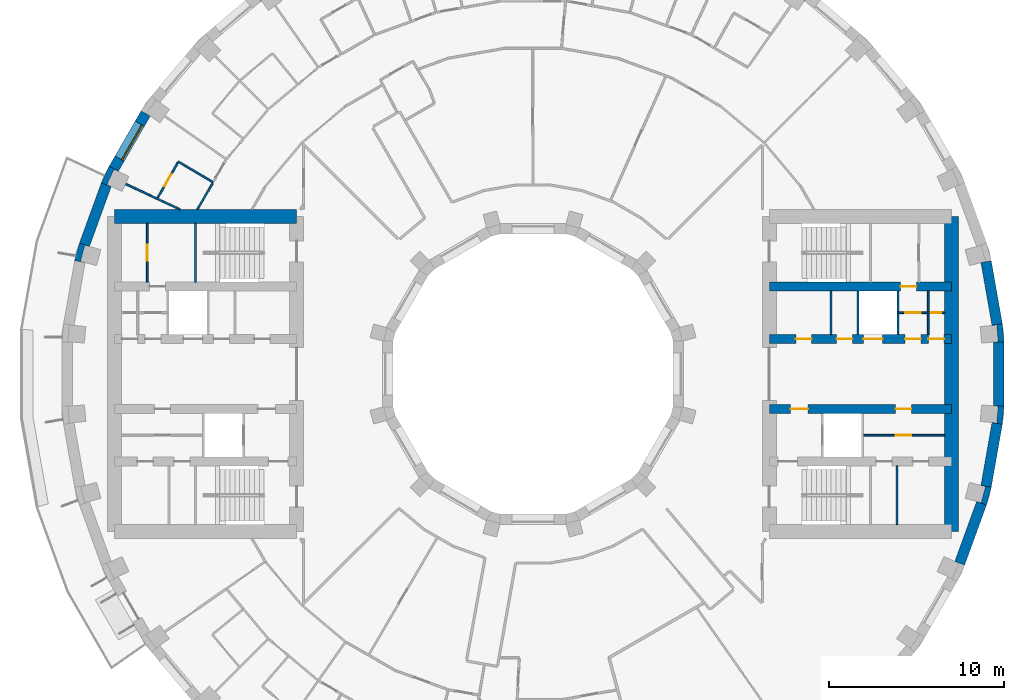
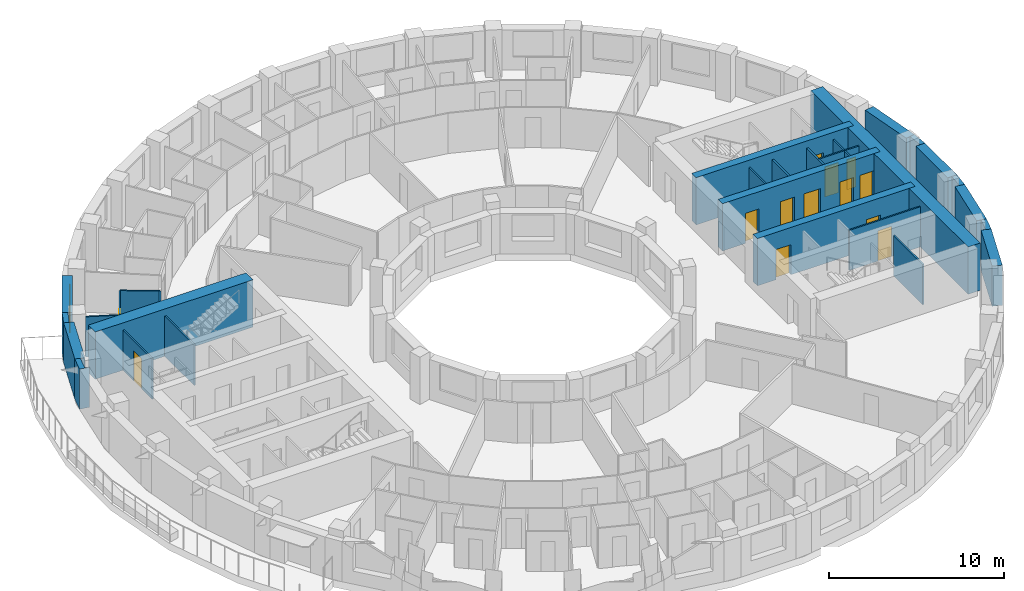
# One storey, part 7 of 12: 30 walls, 13 doors, 1 window, 14 openings.
"""IFC4 building model written with IfcOpenShell, lengths in metres."""

from ifc_helpers import new_model, si_unit, direction, frame, frame_2d, origin, place, context, subcontext, project, spatial, polyline, rectangle, outline, extrude, material, layer, layer_set, type_object, element, fill, save


model = new_model("IFC4")

# Units and contexts
model_context = context("Model", 3, precision=1e-05, world=origin(), true_north=direction((0.0, 1.0)))
body_context = subcontext(model_context, "Body", "Model", "MODEL_VIEW")
ifc_project = project(units=[si_unit("LENGTHUNIT", "METRE"), si_unit("AREAUNIT", "SQUARE_METRE"), si_unit("VOLUMEUNIT", "CUBIC_METRE"), si_unit("PLANEANGLEUNIT", "RADIAN"), si_unit("MASSUNIT", "GRAM", prefix="KILO")], contexts=[model_context])

# Site, building, storey
site_placement = place(None, origin())
site = spatial("IfcSite", under=ifc_project, at=site_placement, CompositionType="ELEMENT")
building_placement = place(site_placement, origin())
building = spatial("IfcBuilding", under=site, at=building_placement, Name="Saqina Gate Tower", CompositionType="ELEMENT")
storey_placement = place(building_placement, frame((0.0, 0.0, 115.0)))
storey = spatial("IfcBuildingStorey", under=building, at=storey_placement, Name="L32", CompositionType="ELEMENT", Elevation=115.0)

# Walls
ifc_material_1 = material(Name="Brick masonry (buff)", Category="masonry")
wall_type_1 = type_object("IfcWallType", Name="BRICK PIER COPING BUFF", PredefinedType="SOLIDWALL", material=ifc_material_1)
wall_1_placement = place(storey_placement, origin())
element("IfcWall", 1, at=wall_1_placement, inside=storey, type_object=wall_type_1, Name="Pier cap L32 column 1", PredefinedType="SOLIDWALL", context=body_context, shape_type="SweptSolid", body=[
    extrude(outline(polyline([(26.805419921875, 2.87451171875), (26.214599609375, 2.770263671875), (26.482421875, 2.793701171875), (26.565185546875, 1.847412109375), (26.29736328125, 1.823974609375), (26.897216796875, 1.823974609375), (26.805419921875, 2.87451171875)])), origin(), (0.0, 0.0, 1.0), 2.800048828125),
])
wall_2_placement = place(storey_placement, origin())
element("IfcWall", 2, at=wall_2_placement, inside=storey, type_object=wall_type_1, Name="Pier cap L32 column 16", PredefinedType="SOLIDWALL", context=body_context, shape_type="SweptSolid", body=[
    extrude(outline(polyline([(-24.6513671875, 10.913330078125), (-24.08740234375, 10.7080078125), (-24.331298828125, 10.82177734375), (-23.9296875, 11.6826171875), (-23.68603515625, 11.569091796875), (-24.205810546875, 11.869140625), (-24.6513671875, 10.913330078125)])), origin(), (0.0, 0.0, 1.0), 2.800048828125),
])
wall_3_placement = place(storey_placement, origin())
element("IfcWall", 3, at=wall_3_placement, inside=storey, type_object=wall_type_1, Name="Pier cap L32 column 17", PredefinedType="SOLIDWALL", context=body_context, shape_type="SweptSolid", body=[
    extrude(outline(polyline([(-25.89892578125, 7.485595703125), (-26.171875, 6.466796875), (-25.5810546875, 6.36279296875), (-25.8408203125, 6.43212890625), (-25.5947265625, 7.349853515625), (-25.335205078125, 7.2802734375), (-25.89892578125, 7.485595703125)])), origin(), (0.0, 0.0, 1.0), 2.800048828125),
])
wall_4_placement = place(storey_placement, origin())
element("IfcWall", 4, at=wall_4_placement, inside=storey, type_object=wall_type_1, Name="Pier cap L32 column 35", PredefinedType="SOLIDWALL", context=body_context, shape_type="SweptSolid", body=[
    extrude(outline(polyline([(25.89892578125, -7.485595703125), (26.171875, -6.466796875), (25.5810546875, -6.36279296875), (25.8408203125, -6.43212890625), (25.5947265625, -7.349853515625), (25.335205078125, -7.2802734375), (25.89892578125, -7.485595703125)])), origin(), (0.0, 0.0, 1.0), 2.800048828125),
])
wall_5_placement = place(storey_placement, origin())
element("IfcWall", 5, at=wall_5_placement, inside=storey, type_object=wall_type_1, Name="Pier cap L32 column 36", PredefinedType="SOLIDWALL", context=body_context, shape_type="SweptSolid", body=[
    extrude(outline(polyline([(26.805419921875, -2.87451171875), (26.897216796875, -1.823974609375), (26.29736328125, -1.823974609375), (26.565185546875, -1.847412109375), (26.482421875, -2.793701171875), (26.214599609375, -2.770263671875), (26.805419921875, -2.87451171875)])), origin(), (0.0, 0.0, 1.0), 2.800048828125),
])
ifc_material_2 = material(Name="Gypsum board on steel studs", Category="steel")
ifc_layer_1 = layer(ifc_material_2, 0.10009765625)
ifc_layer_set_1 = layer_set([ifc_layer_1], Name="CORE PARTITION")
wall_type_2 = type_object("IfcWallType", Name="CORE PARTITION", PredefinedType="PARTITIONING", material=ifc_layer_set_1)
for number, where, z_axis, x_axis, name in (
    (6, (17.022216796875, 2.25, 0.0), (0.0, 0.0, 1.0), (0.0, 1.0, 0.0), "L32-CP-E01"),
    (7, (22.569091796875, 2.25, 0.0), (0.0, 0.0, 1.0), (0.0, 1.0, 0.0), "L32-CP-E04"),
):
    element("IfcWall", number, at=place(storey_placement, frame(where, z_axis=z_axis, x_axis=x_axis)), inside=storey, type_object=wall_type_2, Name=name, PredefinedType="PARTITIONING", context=body_context, shape_type="SweptSolid", body=[
        extrude(rectangle(XDim=2.5, YDim=0.10009765625, at=frame_2d((1.25, 0.0))), origin(), (0.0, 0.0, 1.0), 2.800048828125),
    ])

# Wall, opening, door
wall_6_placement = place(storey_placement, frame((20.840087890625, 3.5, 0.0), z_axis=(0.0, 0.0, 1.0), x_axis=(1.0, 0.0, 0.0)))
wall_6 = element("IfcWall", 8, at=wall_6_placement, inside=storey, type_object=wall_type_2, Name="L32-CP-E07", PredefinedType="PARTITIONING", context=body_context, shape_type="SweptSolid", body=[
    extrude(rectangle(XDim=1.72900390625, YDim=0.10009765625, at=frame_2d((0.864501953125, 0.0))), origin(), (0.0, 0.0, 1.0), 2.800048828125),
])
opening_1_placement = place(wall_6_placement, frame((0.41455078125, 0.0, 0.0)))
opening_1 = element("IfcOpeningElement", 9, at=opening_1_placement, cuts=wall_6, Name="Opening G09-D97", PredefinedType="OPENING", context=body_context, shape_type="SweptSolid", body=[
    extrude(rectangle(XDim=0.89990234375, YDim=2.10009765625, at=frame_2d((0.449951171875, 1.050048828125))), frame((0.0, 0.06201171875, 0.0), z_axis=(0.0, -1.0, 0.0), x_axis=(1.0, 0.0, 0.0)), (0.0, 0.0, 1.0), 0.1240234375),
])
ifc_material_3 = material(Name="Steel-framed fire door leaf, EI 60", Category="steel")
door_type_1 = type_object("IfcDoorType", Name="SERVICE ROOM DOOR 900", OperationType="SINGLE_SWING_LEFT", PredefinedType="DOOR", material=ifc_material_3)
door_1_placement = place(opening_1_placement, origin())
door_1 = element("IfcDoor", 10, at=door_1_placement, inside=storey, type_object=door_type_1, Name="L32-CD-E08", OperationType="SINGLE_SWING_LEFT", OverallHeight=2.10009765625, OverallWidth=0.89990234375, PredefinedType="DOOR", context=body_context, shape_type="SweptSolid", body=[
    extrude(rectangle(XDim=0.89990234375, YDim=2.10009765625, at=frame_2d((0.449951171875, 1.050048828125))), frame((0.0, 0.02490234375, 0.0), z_axis=(0.0, -1.0, 0.0), x_axis=(1.0, 0.0, 0.0)), (0.0, 0.0, 1.0), 0.050048828125),
])
fill(opening_1, door_1)

wall_7_placement = place(storey_placement, frame((22.569091796875, 3.5, 0.0), z_axis=(0.0, 0.0, 1.0), x_axis=(1.0, 0.0, 0.0)))
wall_7 = element("IfcWall", 11, at=wall_7_placement, inside=storey, type_object=wall_type_2, Name="L32-CP-E08", PredefinedType="PARTITIONING", context=body_context, shape_type="SweptSolid", body=[
    extrude(rectangle(XDim=0.930908203125, YDim=0.10009765625, at=frame_2d((0.46533203125, 0.0))), origin(), (0.0, 0.0, 1.0), 2.800048828125),
])
opening_2_placement = place(wall_7_placement, frame((0.14990234375, 0.0, 0.0)))
opening_2 = element("IfcOpeningElement", 12, at=opening_2_placement, cuts=wall_7, Name="Opening G09-D96", PredefinedType="OPENING", context=body_context, shape_type="SweptSolid", body=[
    extrude(rectangle(XDim=0.60009765625, YDim=2.10009765625, at=frame_2d((0.300048828125, 1.050048828125))), frame((0.0, 0.06201171875, 0.0), z_axis=(0.0, -1.0, 0.0), x_axis=(1.0, 0.0, 0.0)), (0.0, 0.0, 1.0), 0.1240234375),
])
ifc_material_4 = material(Name="Steel-framed fire door leaf, EI 60", Category="steel")
door_type_2 = type_object("IfcDoorType", Name="SERVICE ROOM DOOR 600", OperationType="SINGLE_SWING_LEFT", PredefinedType="DOOR", material=ifc_material_4)
door_2_placement = place(opening_2_placement, origin())
door_2 = element("IfcDoor", 13, at=door_2_placement, inside=storey, type_object=door_type_2, Name="L32-CD-E07", OperationType="SINGLE_SWING_RIGHT", OverallHeight=2.10009765625, OverallWidth=0.60009765625, PredefinedType="DOOR", context=body_context, shape_type="SweptSolid", body=[
    extrude(rectangle(XDim=0.60009765625, YDim=2.10009765625, at=frame_2d((0.300048828125, 1.050048828125))), frame((0.0, 0.02490234375, 0.0), z_axis=(0.0, -1.0, 0.0), x_axis=(1.0, 0.0, 0.0)), (0.0, 0.0, 1.0), 0.050048828125),
])
fill(opening_2, door_2)

wall_8_placement = place(storey_placement, frame((18.81005859375, -3.5, 0.0), z_axis=(0.0, 0.0, 1.0), x_axis=(1.0, 0.0, 0.0)))
wall_8 = element("IfcWall", 14, at=wall_8_placement, inside=storey, type_object=wall_type_2, Name="L32-CP-E09", PredefinedType="PARTITIONING", context=body_context, shape_type="SweptSolid", body=[
    extrude(rectangle(XDim=4.68994140625, YDim=0.10009765625, at=frame_2d((2.344970703125, 0.0))), origin(), (0.0, 0.0, 1.0), 2.800048828125),
])
opening_3_placement = place(wall_8_placement, frame((1.89501953125, 0.0, 0.0)))
opening_3 = element("IfcOpeningElement", 15, at=opening_3_placement, cuts=wall_8, Name="Opening G09-D100", PredefinedType="OPENING", context=body_context, shape_type="SweptSolid", body=[
    extrude(rectangle(XDim=0.89990234375, YDim=2.10009765625, at=frame_2d((0.449951171875, 1.050048828125))), frame((0.0, 0.06201171875, 0.0), z_axis=(0.0, -1.0, 0.0), x_axis=(1.0, 0.0, 0.0)), (0.0, 0.0, 1.0), 0.1240234375),
])
door_3_placement = place(opening_3_placement, frame((0.89990234375, 0.0, 0.0), z_axis=(0.0, 0.0, 1.0), x_axis=(-1.0, 0.0, 0.0)))
door_3 = element("IfcDoor", 16, at=door_3_placement, inside=storey, type_object=door_type_1, Name="L32-CD-E11", OperationType="SINGLE_SWING_RIGHT", OverallHeight=2.10009765625, OverallWidth=0.89990234375, PredefinedType="DOOR", context=body_context, shape_type="SweptSolid", body=[
    extrude(rectangle(XDim=0.89990234375, YDim=2.10009765625, at=frame_2d((0.449951171875, 1.050048828125))), frame((0.0, 0.02490234375, 0.0), z_axis=(0.0, -1.0, 0.0), x_axis=(1.0, 0.0, 0.0)), (0.0, 0.0, 1.0), 0.050048828125),
])
fill(opening_3, door_3)

# Wall
wall_9_placement = place(storey_placement, frame((20.782958984375, -8.60009765625, 0.0), z_axis=(0.0, 0.0, 1.0), x_axis=(0.0, 1.0, 0.0)))
element("IfcWall", 17, at=wall_9_placement, inside=storey, type_object=wall_type_2, Name="L32-CP-E13", PredefinedType="PARTITIONING", context=body_context, shape_type="SweptSolid", body=[
    extrude(rectangle(XDim=3.35009765625, YDim=0.10009765625, at=frame_2d((1.675048828125, 0.0))), origin(), (0.0, 0.0, 1.0), 2.800048828125),
])

# Wall, opening, door
wall_10_placement = place(storey_placement, frame((-22.037109375, 5.25, 0.0), z_axis=(0.0, 0.0, 1.0), x_axis=(0.0, 1.0, 0.0)))
wall_10 = element("IfcWall", 18, at=wall_10_placement, inside=storey, type_object=wall_type_2, Name="L32-CP-W11", PredefinedType="PARTITIONING", context=body_context, shape_type="SweptSolid", body=[
    extrude(rectangle(XDim=3.35009765625, YDim=0.10009765625, at=frame_2d((1.675048828125, 0.0))), origin(), (0.0, 0.0, 1.0), 2.800048828125),
])
opening_4_placement = place(wall_10_placement, frame((1.22509765625, 0.0, 0.0)))
opening_4 = element("IfcOpeningElement", 19, at=opening_4_placement, cuts=wall_10, Name="Opening G09-D115", PredefinedType="OPENING", context=body_context, shape_type="SweptSolid", body=[
    extrude(rectangle(XDim=0.89990234375, YDim=2.10009765625, at=frame_2d((0.449951171875, 1.050048828125))), frame((0.0, 0.06201171875, 0.0), z_axis=(0.0, -1.0, 0.0), x_axis=(1.0, 0.0, 0.0)), (0.0, 0.0, 1.0), 0.1240234375),
])
door_4_placement = place(opening_4_placement, frame((0.89990234375, 0.0, 0.0), z_axis=(0.0, 0.0, 1.0), x_axis=(-1.0, 0.0, 0.0)))
door_4 = element("IfcDoor", 20, at=door_4_placement, inside=storey, type_object=door_type_1, Name="L32-CD-W26", OperationType="SINGLE_SWING_LEFT", OverallHeight=2.10009765625, OverallWidth=0.89990234375, PredefinedType="DOOR", context=body_context, shape_type="SweptSolid", body=[
    extrude(rectangle(XDim=0.89990234375, YDim=2.10009765625, at=frame_2d((0.449951171875, 1.050048828125))), frame((0.0, 0.02490234375, 0.0), z_axis=(0.0, -1.0, 0.0), x_axis=(1.0, 0.0, 0.0)), (0.0, 0.0, 1.0), 0.050048828125),
])
fill(opening_4, door_4)

# Wall, opening, window
ifc_material_5 = material(Name="Brick masonry (buff)", Category="masonry")
ifc_layer_2 = layer(ifc_material_5, 0.60009765625)
ifc_layer_set_2 = layer_set([ifc_layer_2], Name="FW-BRICK-BUFF")
wall_type_3 = type_object("IfcWallType", Name="FW-BRICK-BUFF", PredefinedType="SOLIDWALL", material=ifc_layer_set_2)
wall_11_placement = place(storey_placement, frame((-22.1220703125, 14.878173828125, 0.0), z_axis=(0.0, 0.0, 1.0), x_axis=(-0.499954196102, -0.866051847062, 0.0)))
wall_11 = element("IfcWall", 21, at=wall_11_placement, inside=storey, type_object=wall_type_3, Name="Facade wall L32 facet 15", PredefinedType="SOLIDWALL", context=body_context, shape_type="SweptSolid", body=[
    extrude(rectangle(XDim=3.647705078125, YDim=0.60009765625, at=frame_2d((1.82373046875, 0.0))), origin(), (0.0, 0.0, 1.0), 2.800048828125),
])
opening_5_placement = place(wall_11_placement, frame((0.673828125, 0.0, 0.89990234375)))
opening_5 = element("IfcOpeningElement", 22, at=opening_5_placement, cuts=wall_11, Name="Opening G09-W13", PredefinedType="OPENING", context=body_context, shape_type="SweptSolid", body=[
    extrude(rectangle(XDim=2.300048828125, YDim=1.800048828125, at=frame_2d((1.14990234375, 0.89990234375))), frame((0.0, 0.31201171875, 0.0), z_axis=(0.0, -1.0, 0.0), x_axis=(1.0, 0.0, 0.0)), (0.0, 0.0, 1.0), 0.6240234375),
])
ifc_material_6 = material(Name="Aluminium glazing", Category="aluminium")
window_type = type_object("IfcWindowType", Name="WN-B", PartitioningType="SINGLE_PANEL", PredefinedType="WINDOW", material=ifc_material_6)
window_placement = place(opening_5_placement, origin())
window = element("IfcWindow", 23, at=window_placement, inside=storey, type_object=window_type, Name="Window L32 facet 15", OverallHeight=1.800048828125, OverallWidth=2.300048828125, PartitioningType="SINGLE_PANEL", PredefinedType="WINDOW", context=body_context, shape_type="SweptSolid", body=[
    extrude(rectangle(XDim=2.300048828125, YDim=1.800048828125, at=frame_2d((1.14990234375, 0.89990234375))), frame((0.0, 0.179931640625, 0.0), z_axis=(0.0, -1.0, 0.0), x_axis=(1.0, 0.0, 0.0)), (0.0, 0.0, 1.0), 0.06005859375),
])
fill(opening_5, window)

# Walls
ifc_material_7 = material(Name="Glazed ceramic tile", Category="ceramic")
ifc_layer_3 = layer(ifc_material_7, 0.60009765625)
ifc_layer_set_3 = layer_set([ifc_layer_3], Name="FW-TILE")
wall_type_4 = type_object("IfcWallType", Name="FW-TILE", PredefinedType="SOLIDWALL", material=ifc_layer_set_3)
for number, where, z_axis, x_axis, name in (
    (24, (26.510009765625, 2.822265625, 0.0), (0.0, 0.0, 1.0), (-0.173670796382, 0.984803764455, 0.0), "Facade wall L32 facet 1"),
    (25, (25.87646484375, -6.414794921875, 0.0), (0.0, 0.0, 1.0), (0.173670796382, 0.984803764455, 0.0), "Facade wall L32 facet 35"),
):
    element("IfcWall", number, at=place(storey_placement, frame(where, z_axis=z_axis, x_axis=x_axis)), inside=storey, type_object=wall_type_4, Name=name, PredefinedType="SOLIDWALL", context=body_context, shape_type="SweptSolid", body=[
        extrude(rectangle(XDim=3.64794921875, YDim=0.60009765625, at=frame_2d((1.823974609375, 0.0))), origin(), (0.0, 0.0, 1.0), 2.800048828125),
    ])
ifc_material_8 = material(Name="Glazed ceramic tile (dark blue)", Category="ceramic")
ifc_layer_4 = layer(ifc_material_8, 0.60009765625)
ifc_layer_set_4 = layer_set([ifc_layer_4], Name="FW-TILE-CB")
wall_type_5 = type_object("IfcWallType", Name="FW-TILE-CB", PredefinedType="SOLIDWALL", material=ifc_layer_set_4)
wall_12_placement = place(storey_placement, frame((24.369384765625, -10.810791015625, 0.0), z_axis=(0.0, 0.0, 1.0), x_axis=(0.341990236633, 0.939703505393, 0.0)))
element("IfcWall", 26, at=wall_12_placement, inside=storey, type_object=wall_type_5, Name="Facade wall L32 facet 34", PredefinedType="SOLIDWALL", context=body_context, shape_type="SweptSolid", body=[
    extrude(rectangle(XDim=3.64794921875, YDim=0.60009765625, at=frame_2d((1.823974609375, 0.0))), origin(), (0.0, 0.0, 1.0), 2.800048828125),
])
ifc_material_9 = material(Name="Glazed ceramic tile (white)", Category="ceramic")
ifc_layer_5 = layer(ifc_material_9, 0.60009765625)
ifc_layer_set_5 = layer_set([ifc_layer_5], Name="FW-TILE-WH")
wall_type_6 = type_object("IfcWallType", Name="FW-TILE-WH", PredefinedType="SOLIDWALL", material=ifc_layer_set_5)
for number, where, z_axis, x_axis, name in (
    (27, (-24.369384765625, 10.810791015625, 0.0), (0.0, 0.0, 1.0), (-0.341990236633, -0.939703505393, 0.0), "Facade wall L32 facet 16"),
    (28, (26.59716796875, -1.823974609375, 0.0), (0.0, 0.0, 1.0), (0.0, 1.0, 0.0), "Facade wall L32 facet 36"),
):
    element("IfcWall", number, at=place(storey_placement, frame(where, z_axis=z_axis, x_axis=x_axis)), inside=storey, type_object=wall_type_6, Name=name, PredefinedType="SOLIDWALL", context=body_context, shape_type="SweptSolid", body=[
        extrude(rectangle(XDim=3.64794921875, YDim=0.60009765625, at=frame_2d((1.823974609375, 0.0))), origin(), (0.0, 0.0, 1.0), 2.800048828125),
    ])
ifc_material_10 = material(Name="Gypsum board on steel studs, 100 mm", Category="steel")
ifc_layer_6 = layer(ifc_material_10, 0.10009765625)
ifc_layer_set_6 = layer_set([ifc_layer_6], Name="PARTITION 100")
wall_type_7 = type_object("IfcWallType", Name="PARTITION 100", PredefinedType="PARTITIONING", material=ifc_layer_set_6)
wall_13_placement = place(storey_placement, frame((-20.2470703125, 12.1259765625, 0.0), z_axis=(0.0, 0.0, 1.0), x_axis=(0.857988737522, -0.513668498435, 0.0)))
element("IfcWall", 29, at=wall_13_placement, inside=storey, type_object=wall_type_7, Name="PARTITION PW3-30", PredefinedType="PARTITIONING", context=body_context, shape_type="SweptSolid", body=[
    extrude(rectangle(XDim=2.30078125, YDim=0.10009765625, at=frame_2d((1.150390625, 0.0))), origin(), (0.0, 0.0, 1.0), 2.800048828125),
])
wall_14_placement = place(storey_placement, frame((-23.26025390625, 10.846923828125, 0.0), z_axis=(0.0, 0.0, 1.0), x_axis=(0.906263293643, -0.422713665021, 0.0)))
element("IfcWall", 30, at=wall_14_placement, inside=storey, type_object=wall_type_7, Name="PARTITION PW3-37", PredefinedType="PARTITIONING", context=body_context, shape_type="SweptSolid", body=[
    extrude(rectangle(XDim=3.423095703125, YDim=0.10009765625, at=frame_2d((1.71142578125, 0.0))), origin(), (0.0, 0.0, 1.0), 2.800048828125),
])
wall_15_placement = place(storey_placement, frame((-19.1650390625, 9.39990234375, 0.0), z_axis=(0.0, 0.0, 1.0), x_axis=(0.500214230422, 0.865901682458, 0.0)))
element("IfcWall", 31, at=wall_15_placement, inside=storey, type_object=wall_type_7, Name="PARTITION PW3-89", PredefinedType="PARTITIONING", context=body_context, shape_type="SweptSolid", body=[
    extrude(rectangle(XDim=1.733154296875, YDim=0.10009765625, at=frame_2d((0.86669921875, 0.0))), origin(), (0.0, 0.0, 1.0), 2.800048828125),
])

# Wall, opening, door
wall_16_placement = place(storey_placement, frame((-21.443115234375, 10.05419921875, 0.0), z_axis=(0.0, 0.0, 1.0), x_axis=(0.499984100898, 0.86603458294, 0.0)))
wall_16 = element("IfcWall", 32, at=wall_16_placement, inside=storey, type_object=wall_type_7, Name="PARTITION PW3-90", PredefinedType="PARTITIONING", context=body_context, shape_type="SweptSolid", body=[
    extrude(rectangle(XDim=2.34228515625, YDim=0.10009765625, at=frame_2d((1.171142578125, 0.0))), origin(), (0.0, 0.0, 1.0), 2.800048828125),
])
opening_6_placement = place(wall_16_placement, frame((0.77099609375, 0.0, 0.0)))
opening_6 = element("IfcOpeningElement", 33, at=opening_6_placement, cuts=wall_16, Name="Opening G09-D28", PredefinedType="OPENING", context=body_context, shape_type="SweptSolid", body=[
    extrude(rectangle(XDim=0.800048828125, YDim=2.10009765625, at=frame_2d((0.39990234375, 1.050048828125))), frame((0.0, 0.06201171875, 0.0), z_axis=(0.0, -1.0, 0.0), x_axis=(1.0, 0.0, 0.0)), (0.0, 0.0, 1.0), 0.1240234375),
])
ifc_material_11 = material(Name="Timber door leaf, 800 mm", Category="wood")
door_type_3 = type_object("IfcDoorType", Name="DOOR 800 TIMBER", OperationType="SINGLE_SWING_LEFT", PredefinedType="DOOR", material=ifc_material_11)
door_5_placement = place(opening_6_placement, origin())
door_5 = element("IfcDoor", 34, at=door_5_placement, inside=storey, type_object=door_type_3, Name="DOOR G09-D28", OperationType="SINGLE_SWING_RIGHT", OverallHeight=2.10009765625, OverallWidth=0.800048828125, PredefinedType="DOOR", context=body_context, shape_type="SweptSolid", body=[
    extrude(rectangle(XDim=0.800048828125, YDim=2.10009765625, at=frame_2d((0.39990234375, 1.050048828125))), frame((0.0, 0.02490234375, 0.0), z_axis=(0.0, -1.0, 0.0), x_axis=(1.0, 0.0, 0.0)), (0.0, 0.0, 1.0), 0.050048828125),
])
fill(opening_6, door_5)

# Walls
ifc_material_12 = material(Name="Autoclaved aerated concrete block", Category="concrete")
ifc_layer_7 = layer(ifc_material_12, 0.1201171875)
ifc_layer_set_7 = layer_set([ifc_layer_7], Name="SHAFT PARTITION")
wall_type_8 = type_object("IfcWallType", Name="SHAFT PARTITION", PredefinedType="PARTITIONING", material=ifc_layer_set_7)
for number, where, z_axis, x_axis, name in (
    (35, (18.56005859375, 2.25, 0.0), (0.0, 0.0, 1.0), (0.0, 1.0, 0.0), "L32-CP-E02"),
    (36, (20.840087890625, 2.25, 0.0), (0.0, 0.0, 1.0), (0.0, 1.0, 0.0), "L32-CP-E03"),
):
    element("IfcWall", number, at=place(storey_placement, frame(where, z_axis=z_axis, x_axis=x_axis)), inside=storey, type_object=wall_type_8, Name=name, PredefinedType="PARTITIONING", context=body_context, shape_type="SweptSolid", body=[
        extrude(rectangle(XDim=2.5, YDim=0.1201171875, at=frame_2d((1.25, 0.0))), origin(), (0.0, 0.0, 1.0), 2.800048828125),
    ])
ifc_material_13 = material(Name="Autoclaved aerated concrete block", Category="concrete")
ifc_layer_8 = layer(ifc_material_13, 0.10009765625)
ifc_layer_set_8 = layer_set([ifc_layer_8], Name="STAIR ENCLOSURE WALL")
wall_type_9 = type_object("IfcWallType", Name="STAIR ENCLOSURE WALL", PredefinedType="PARTITIONING", material=ifc_layer_set_8)
wall_17_placement = place(storey_placement, frame((-19.27001953125, 5.25, 0.0), z_axis=(0.0, 0.0, 1.0), x_axis=(0.0, 1.0, 0.0)))
element("IfcWall", 37, at=wall_17_placement, inside=storey, type_object=wall_type_9, Name="L32-CP-W10", PredefinedType="PARTITIONING", context=body_context, shape_type="SweptSolid", body=[
    extrude(rectangle(XDim=3.35009765625, YDim=0.10009765625, at=frame_2d((1.675048828125, 0.0))), origin(), (0.0, 0.0, 1.0), 2.800048828125),
])

# Wall, opening, door
ifc_material_14 = material(Name="Concrete C70/85", Category="concrete")
ifc_layer_9 = layer(ifc_material_14, 0.5)
ifc_layer_set_9 = layer_set([ifc_layer_9], Name="Concrete C70/85")
wall_type_10 = type_object("IfcWallType", Name="STR-CORE WALL-B-I", PredefinedType="SHEAR", material=ifc_layer_set_9)
wall_18_placement = place(storey_placement, frame((13.5, 5.0, 0.0), z_axis=(0.0, 0.0, 1.0), x_axis=(1.0, 0.0, 0.0)))
wall_18 = element("IfcWall", 38, at=wall_18_placement, inside=storey, type_object=wall_type_10, Name="CORE WALL L32 E-X1", PredefinedType="SHEAR", context=body_context, shape_type="SweptSolid", body=[
    extrude(rectangle(XDim=10.39990234375, YDim=0.5, at=frame_2d((5.199951171875, 0.0))), origin(), (0.0, 0.0, 1.0), 3.300048828125),
])
opening_7_placement = place(wall_18_placement, frame((7.488525390625, 0.0, 0.0)))
opening_7 = element("IfcOpeningElement", 39, at=opening_7_placement, cuts=wall_18, Name="Opening G09-D99", PredefinedType="OPENING", context=body_context, shape_type="SweptSolid", body=[
    extrude(rectangle(XDim=0.89990234375, YDim=2.10009765625, at=frame_2d((0.449951171875, 1.050048828125))), frame((0.0, 0.261962890625, 0.0), z_axis=(0.0, -1.0, 0.0), x_axis=(1.0, 0.0, 0.0)), (0.0, 0.0, 1.0), 0.52392578125),
])
door_6_placement = place(opening_7_placement, origin())
door_6 = element("IfcDoor", 40, at=door_6_placement, inside=storey, type_object=door_type_1, Name="L32-CD-E10", OperationType="SINGLE_SWING_RIGHT", OverallHeight=2.10009765625, OverallWidth=0.89990234375, PredefinedType="DOOR", context=body_context, shape_type="SweptSolid", body=[
    extrude(rectangle(XDim=0.89990234375, YDim=2.10009765625, at=frame_2d((0.449951171875, 1.050048828125))), frame((0.0, 0.02490234375, 0.0), z_axis=(0.0, -1.0, 0.0), x_axis=(1.0, 0.0, 0.0)), (0.0, 0.0, 1.0), 0.050048828125),
])
fill(opening_7, door_6)

# Wall, openings, doors
wall_19_placement = place(storey_placement, frame((13.5, 2.0, 0.0), z_axis=(0.0, 0.0, 1.0), x_axis=(1.0, 0.0, 0.0)))
wall_19 = element("IfcWall", 41, at=wall_19_placement, inside=storey, type_object=wall_type_10, Name="CORE WALL L32 E-L1", PredefinedType="SHEAR", context=body_context, shape_type="SweptSolid", body=[
    extrude(rectangle(XDim=10.39990234375, YDim=0.5, at=frame_2d((5.199951171875, 0.0))), origin(), (0.0, 0.0, 1.0), 3.300048828125),
])
opening_8_placement = place(wall_19_placement, frame((5.3701171875, 0.0, 0.0)))
opening_8 = element("IfcOpeningElement", 42, at=opening_8_placement, cuts=wall_19, Name="Opening G09-LD1", PredefinedType="OPENING", context=body_context, shape_type="SweptSolid", body=[
    extrude(rectangle(XDim=1.10009765625, YDim=2.10009765625, at=frame_2d((0.550048828125, 1.050048828125))), frame((0.0, 0.261962890625, 0.0), z_axis=(0.0, -1.0, 0.0), x_axis=(1.0, 0.0, 0.0)), (0.0, 0.0, 1.0), 0.52392578125),
])
opening_9_placement = place(wall_19_placement, frame((1.510986328125, 0.0, 0.0)))
opening_9 = element("IfcOpeningElement", 43, at=opening_9_placement, cuts=wall_19, Name="Opening G09-D90", PredefinedType="OPENING", context=body_context, shape_type="SweptSolid", body=[
    extrude(rectangle(XDim=0.89990234375, YDim=2.10009765625, at=frame_2d((0.449951171875, 1.050048828125))), frame((0.0, 0.261962890625, 0.0), z_axis=(0.0, -1.0, 0.0), x_axis=(1.0, 0.0, 0.0)), (0.0, 0.0, 1.0), 0.52392578125),
])
opening_10_placement = place(wall_19_placement, frame((3.841064453125, 0.0, 0.0)))
opening_10 = element("IfcOpeningElement", 44, at=opening_10_placement, cuts=wall_19, Name="Opening G09-D91", PredefinedType="OPENING", context=body_context, shape_type="SweptSolid", body=[
    extrude(rectangle(XDim=0.89990234375, YDim=2.10009765625, at=frame_2d((0.449951171875, 1.050048828125))), frame((0.0, 0.261962890625, 0.0), z_axis=(0.0, -1.0, 0.0), x_axis=(1.0, 0.0, 0.0)), (0.0, 0.0, 1.0), 0.52392578125),
])
opening_11_placement = place(wall_19_placement, frame((7.75439453125, 0.0, 0.0)))
opening_11 = element("IfcOpeningElement", 45, at=opening_11_placement, cuts=wall_19, Name="Opening G09-D92", PredefinedType="OPENING", context=body_context, shape_type="SweptSolid", body=[
    extrude(rectangle(XDim=0.89990234375, YDim=2.10009765625, at=frame_2d((0.449951171875, 1.050048828125))), frame((0.0, 0.261962890625, 0.0), z_axis=(0.0, -1.0, 0.0), x_axis=(1.0, 0.0, 0.0)), (0.0, 0.0, 1.0), 0.52392578125),
])
opening_12_placement = place(wall_19_placement, frame((9.08447265625, 0.0, 0.0)))
opening_12 = element("IfcOpeningElement", 46, at=opening_12_placement, cuts=wall_19, Name="Opening G09-D93", PredefinedType="OPENING", context=body_context, shape_type="SweptSolid", body=[
    extrude(rectangle(XDim=0.89990234375, YDim=2.10009765625, at=frame_2d((0.449951171875, 1.050048828125))), frame((0.0, 0.261962890625, 0.0), z_axis=(0.0, -1.0, 0.0), x_axis=(1.0, 0.0, 0.0)), (0.0, 0.0, 1.0), 0.52392578125),
])
ifc_material_15 = material(Name="Stainless steel", Category="steel")
door_type_4 = type_object("IfcDoorType", Name="LANDING DOOR", OperationType="DOUBLE_DOOR_SLIDING", PredefinedType="DOOR", material=ifc_material_15)
door_7_placement = place(opening_8_placement, origin())
door_7 = element("IfcDoor", 47, at=door_7_placement, inside=storey, type_object=door_type_4, Name="LANDING DOOR MR1", OperationType="DOUBLE_DOOR_SLIDING", OverallHeight=2.10009765625, OverallWidth=1.10009765625, PredefinedType="DOOR", context=body_context, shape_type="SweptSolid", body=[
    extrude(rectangle(XDim=1.10009765625, YDim=2.10009765625, at=frame_2d((0.550048828125, 1.050048828125))), frame((0.0, 0.02490234375, 0.0), z_axis=(0.0, -1.0, 0.0), x_axis=(1.0, 0.0, 0.0)), (0.0, 0.0, 1.0), 0.050048828125),
])
fill(opening_8, door_7)
door_8_placement = place(opening_9_placement, origin())
door_8 = element("IfcDoor", 48, at=door_8_placement, inside=storey, type_object=door_type_1, Name="L32-CD-E01", OperationType="SINGLE_SWING_LEFT", OverallHeight=2.10009765625, OverallWidth=0.89990234375, PredefinedType="DOOR", context=body_context, shape_type="SweptSolid", body=[
    extrude(rectangle(XDim=0.89990234375, YDim=2.10009765625, at=frame_2d((0.449951171875, 1.050048828125))), frame((0.0, 0.02490234375, 0.0), z_axis=(0.0, -1.0, 0.0), x_axis=(1.0, 0.0, 0.0)), (0.0, 0.0, 1.0), 0.050048828125),
])
fill(opening_9, door_8)
door_9_placement = place(opening_10_placement, origin())
door_9 = element("IfcDoor", 49, at=door_9_placement, inside=storey, type_object=door_type_1, Name="L32-CD-E02", OperationType="SINGLE_SWING_RIGHT", OverallHeight=2.10009765625, OverallWidth=0.89990234375, PredefinedType="DOOR", context=body_context, shape_type="SweptSolid", body=[
    extrude(rectangle(XDim=0.89990234375, YDim=2.10009765625, at=frame_2d((0.449951171875, 1.050048828125))), frame((0.0, 0.02490234375, 0.0), z_axis=(0.0, -1.0, 0.0), x_axis=(1.0, 0.0, 0.0)), (0.0, 0.0, 1.0), 0.050048828125),
])
fill(opening_10, door_9)
door_10_placement = place(opening_11_placement, origin())
door_10 = element("IfcDoor", 50, at=door_10_placement, inside=storey, type_object=door_type_1, Name="L32-CD-E03", OperationType="SINGLE_SWING_LEFT", OverallHeight=2.10009765625, OverallWidth=0.89990234375, PredefinedType="DOOR", context=body_context, shape_type="SweptSolid", body=[
    extrude(rectangle(XDim=0.89990234375, YDim=2.10009765625, at=frame_2d((0.449951171875, 1.050048828125))), frame((0.0, 0.02490234375, 0.0), z_axis=(0.0, -1.0, 0.0), x_axis=(1.0, 0.0, 0.0)), (0.0, 0.0, 1.0), 0.050048828125),
])
fill(opening_11, door_10)
door_11_placement = place(opening_12_placement, origin())
door_11 = element("IfcDoor", 51, at=door_11_placement, inside=storey, type_object=door_type_1, Name="L32-CD-E04", OperationType="SINGLE_SWING_RIGHT", OverallHeight=2.10009765625, OverallWidth=0.89990234375, PredefinedType="DOOR", context=body_context, shape_type="SweptSolid", body=[
    extrude(rectangle(XDim=0.89990234375, YDim=2.10009765625, at=frame_2d((0.449951171875, 1.050048828125))), frame((0.0, 0.02490234375, 0.0), z_axis=(0.0, -1.0, 0.0), x_axis=(1.0, 0.0, 0.0)), (0.0, 0.0, 1.0), 0.050048828125),
])
fill(opening_12, door_11)

wall_20_placement = place(storey_placement, frame((13.5, -2.0, 0.0), z_axis=(0.0, 0.0, 1.0), x_axis=(1.0, 0.0, 0.0)))
wall_20 = element("IfcWall", 52, at=wall_20_placement, inside=storey, type_object=wall_type_10, Name="CORE WALL L32 E-L2", PredefinedType="SHEAR", context=body_context, shape_type="SweptSolid", body=[
    extrude(rectangle(XDim=10.39990234375, YDim=0.5, at=frame_2d((5.199951171875, 0.0))), origin(), (0.0, 0.0, 1.0), 3.300048828125),
])
opening_13_placement = place(wall_20_placement, frame((1.215087890625, 0.0, 0.0)))
opening_13 = element("IfcOpeningElement", 53, at=opening_13_placement, cuts=wall_20, Name="Opening G09-D94", PredefinedType="OPENING", context=body_context, shape_type="SweptSolid", body=[
    extrude(rectangle(XDim=1.0, YDim=2.10009765625, at=frame_2d((0.5, 1.050048828125))), frame((0.0, 0.261962890625, 0.0), z_axis=(0.0, -1.0, 0.0), x_axis=(1.0, 0.0, 0.0)), (0.0, 0.0, 1.0), 0.52392578125),
])
opening_14_placement = place(wall_20_placement, frame((7.205078125, 0.0, 0.0)))
opening_14 = element("IfcOpeningElement", 54, at=opening_14_placement, cuts=wall_20, Name="Opening G09-D95", PredefinedType="OPENING", context=body_context, shape_type="SweptSolid", body=[
    extrude(rectangle(XDim=0.89990234375, YDim=2.10009765625, at=frame_2d((0.449951171875, 1.050048828125))), frame((0.0, 0.261962890625, 0.0), z_axis=(0.0, -1.0, 0.0), x_axis=(1.0, 0.0, 0.0)), (0.0, 0.0, 1.0), 0.52392578125),
])
ifc_material_16 = material(Name="Steel", Category="steel")
door_type_5 = type_object("IfcDoorType", Name="FIRE LOBBY DOOR EI 60", OperationType="SINGLE_SWING_LEFT", PredefinedType="DOOR", material=ifc_material_16)
door_12_placement = place(opening_13_placement, origin())
door_12 = element("IfcDoor", 55, at=door_12_placement, inside=storey, type_object=door_type_5, Name="L32-CD-E05", OperationType="SINGLE_SWING_LEFT", OverallHeight=2.10009765625, OverallWidth=1.0, PredefinedType="DOOR", context=body_context, shape_type="SweptSolid", body=[
    extrude(rectangle(XDim=1.0, YDim=2.10009765625, at=frame_2d((0.5, 1.050048828125))), frame((0.0, 0.02490234375, 0.0), z_axis=(0.0, -1.0, 0.0), x_axis=(1.0, 0.0, 0.0)), (0.0, 0.0, 1.0), 0.050048828125),
])
fill(opening_13, door_12)
door_13_placement = place(opening_14_placement, frame((0.89990234375, 0.0, 0.0), z_axis=(0.0, 0.0, 1.0), x_axis=(-1.0, 0.0, 0.0)))
door_13 = element("IfcDoor", 56, at=door_13_placement, inside=storey, type_object=door_type_1, Name="L32-CD-E06", OperationType="SINGLE_SWING_LEFT", OverallHeight=2.10009765625, OverallWidth=0.89990234375, PredefinedType="DOOR", context=body_context, shape_type="SweptSolid", body=[
    extrude(rectangle(XDim=0.89990234375, YDim=2.10009765625, at=frame_2d((0.449951171875, 1.050048828125))), frame((0.0, 0.02490234375, 0.0), z_axis=(0.0, -1.0, 0.0), x_axis=(1.0, 0.0, 0.0)), (0.0, 0.0, 1.0), 0.050048828125),
])
fill(opening_14, door_13)

# Walls
ifc_material_17 = material(Name="Concrete C70/85", Category="concrete")
ifc_layer_10 = layer(ifc_material_17, 0.800048828125)
ifc_layer_set_10 = layer_set([ifc_layer_10], Name="Concrete C70/85")
wall_type_11 = type_object("IfcWallType", Name="STR-CORE WALL-B-O", PredefinedType="SHEAR", material=ifc_layer_set_10)
wall_21_placement = place(storey_placement, frame((23.89990234375, -9.0, 0.0), z_axis=(0.0, 0.0, 1.0), x_axis=(0.0, 1.0, 0.0)))
element("IfcWall", 57, at=wall_21_placement, inside=storey, type_object=wall_type_11, Name="CORE WALL L32 E-W2", PredefinedType="SHEAR", context=body_context, shape_type="SweptSolid", body=[
    extrude(rectangle(XDim=18.0, YDim=0.800048828125, at=frame_2d((9.0, 0.0))), origin(), (0.0, 0.0, 1.0), 3.300048828125),
])
wall_22_placement = place(storey_placement, frame((-13.5, 9.0, 0.0), z_axis=(0.0, 0.0, 1.0), x_axis=(-1.0, 0.0, 0.0)))
element("IfcWall", 58, at=wall_22_placement, inside=storey, type_object=wall_type_11, Name="CORE WALL L32 W-NE", PredefinedType="SHEAR", context=body_context, shape_type="SweptSolid", body=[
    extrude(rectangle(XDim=10.39990234375, YDim=0.800048828125, at=frame_2d((5.199951171875, 0.0))), origin(), (0.0, 0.0, 1.0), 3.300048828125),
])

save(model, "model.ifc")
